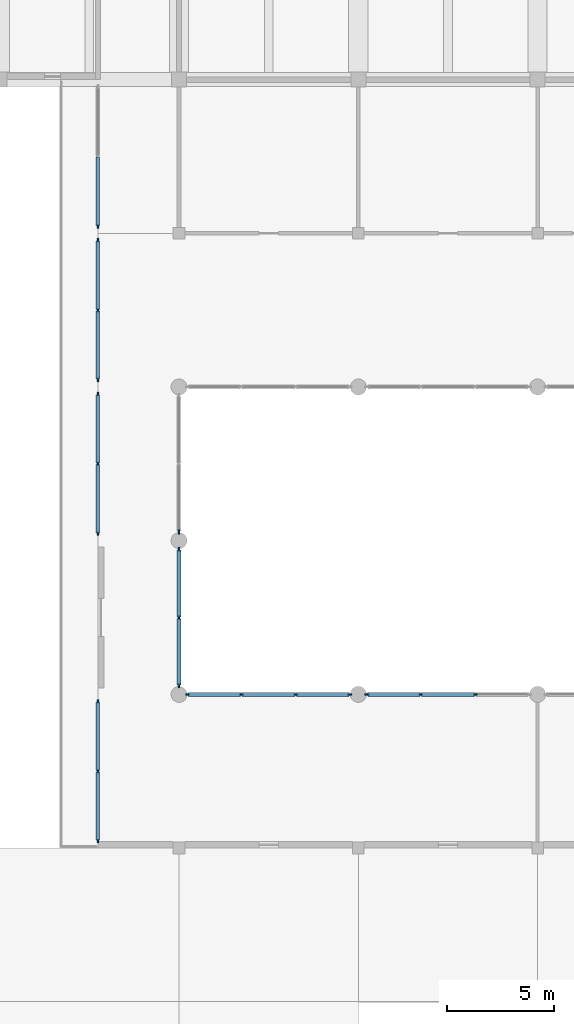
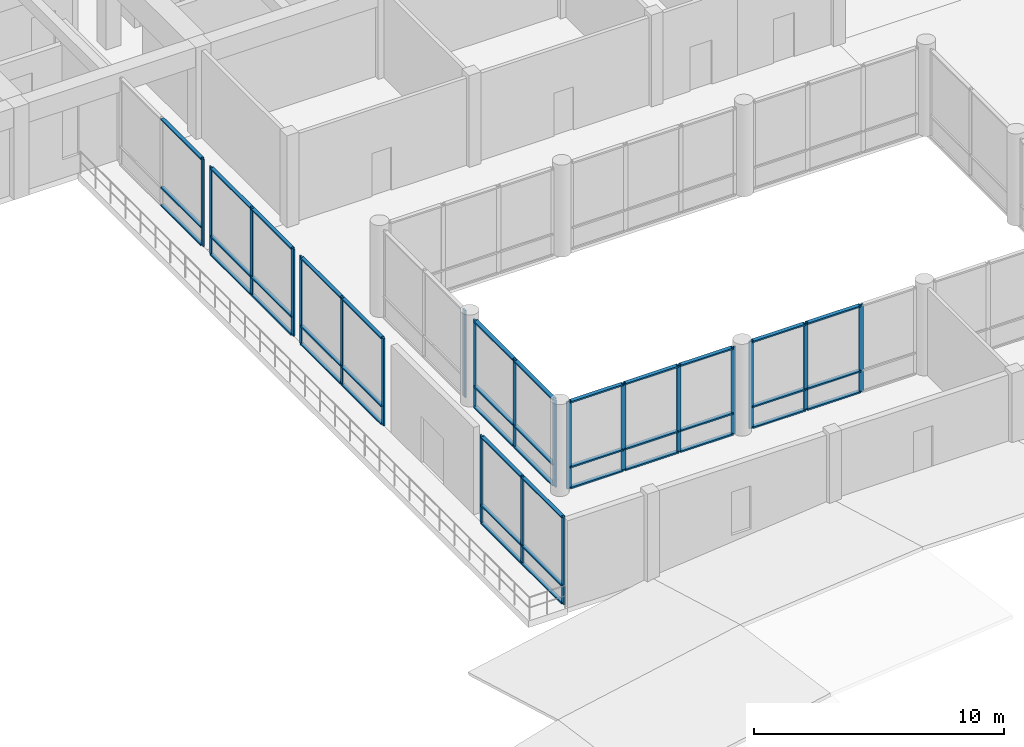
# One storey, part 2 of 17: 63 members, 8 elements without a shape of their own.
"""IFC4 building model written with IfcOpenShell, lengths in metres."""

from ifc_helpers import new_model, si_unit, direction, frame, origin, origin_2d, place, context, subcontext, project, spatial, rectangle, extrude, material, material_profile, profile_set, type_object, element, aggregate, save


model = new_model("IFC4")

# Units and contexts
model_context = context("Model", 3, precision=1e-05, world=origin(), true_north=direction((0.0, 1.0)))
body_context = subcontext(model_context, "Body", "Model", "MODEL_VIEW")
ifc_project = project(units=[si_unit("LENGTHUNIT", "METRE"), si_unit("AREAUNIT", "SQUARE_METRE"), si_unit("VOLUMEUNIT", "CUBIC_METRE"), si_unit("PLANEANGLEUNIT", "RADIAN"), si_unit("MASSUNIT", "GRAM", prefix="KILO")], contexts=[model_context])

# Site, building, storey
site_placement = place(None, origin())
site = spatial("IfcSite", under=ifc_project, at=site_placement, CompositionType="ELEMENT")
building_placement = place(site_placement, origin())
building = spatial("IfcBuilding", under=site, at=building_placement, Name="Kenerak Square Central Library", CompositionType="ELEMENT")
storey_placement = place(building_placement, frame((0.0, 0.0, 23.360107421875)))
storey = spatial("IfcBuildingStorey", under=building, at=storey_placement, Name="L05", CompositionType="ELEMENT", Elevation=23.360107421875)

# Curtain wall, members
ifc_material_1 = material(Name="Anodised aluminium and solar-control low-E glazing", Category="aluminium")
curtain_wall_type_1 = type_object("IfcCurtainWallType", Name="Curtain Wall CW-V4-66x42 6600x4255", PredefinedType="USERDEFINED", material=ifc_material_1)
curtain_wall_1_placement = place(storey_placement, origin())
curtain_wall_1 = element("IfcCurtainWall", 1, at=curtain_wall_1_placement, inside=storey, type_object=curtain_wall_type_1, Name="Curtain Wall CW-V4-66x42 L05 0151", ObjectType="CURTAIN WALL", PredefinedType="USERDEFINED")
ifc_material_2 = material(Name="Anodised aluminium 6063-T6", Category="aluminium")
ifc_material_profile_1 = material_profile(ifc_material_2, rectangle(XDim=0.06494140625, YDim=0.179931640625, at=origin_2d()), Name="AL MULLION 65x180")
ifc_profile_set_1 = profile_set([ifc_material_profile_1], Name="Anodised aluminium 6063-T6")
member_type_1 = type_object("IfcMemberType", Name="Curtain Mullion CM-01 65x180", PredefinedType="MULLION", material=ifc_profile_set_1)
member_1_placement = place(storey_placement, frame((71.39990234375, 53.132568359375, 0.0), z_axis=(0.0, 0.0, 1.0), x_axis=(-1.0, 0.0, 0.0)))
member_1 = element("IfcMember", 2, at=member_1_placement, type_object=member_type_1, Name="CW-V4-66x42 Mullion 1", PredefinedType="MULLION", context=body_context, shape_type="SweptSolid", body=[
    extrude(rectangle(XDim=0.06494140625, YDim=0.179931640625, at=origin_2d()), origin(), (0.0, 0.0, 1.0), 4.2548828125),
])
member_2_placement = place(storey_placement, frame((71.39990234375, 56.39990234375, 0.0), z_axis=(0.0, 0.0, 1.0), x_axis=(-1.0, 0.0, 0.0)))
member_2 = element("IfcMember", 3, at=member_2_placement, type_object=member_type_1, Name="CW-V4-66x42 Mullion 2", PredefinedType="MULLION", context=body_context, shape_type="SweptSolid", body=[
    extrude(rectangle(XDim=0.06494140625, YDim=0.179931640625, at=origin_2d()), origin(), (0.0, 0.0, 1.0), 4.2548828125),
])
member_3_placement = place(storey_placement, frame((71.39990234375, 59.66748046875, 0.0), z_axis=(0.0, 0.0, 1.0), x_axis=(-1.0, 0.0, 0.0)))
member_3 = element("IfcMember", 4, at=member_3_placement, type_object=member_type_1, Name="CW-V4-66x42 Mullion 3", PredefinedType="MULLION", context=body_context, shape_type="SweptSolid", body=[
    extrude(rectangle(XDim=0.06494140625, YDim=0.179931640625, at=origin_2d()), origin(), (0.0, 0.0, 1.0), 4.2548828125),
])

curtain_wall_2_placement = place(storey_placement, origin())
curtain_wall_2 = element("IfcCurtainWall", 5, at=curtain_wall_2_placement, inside=storey, type_object=curtain_wall_type_1, Name="Curtain Wall CW-V4-66x42 L05 0152", ObjectType="CURTAIN WALL", PredefinedType="USERDEFINED")
member_4_placement = place(storey_placement, frame((71.39990234375, 67.532470703125, 0.0), z_axis=(0.0, 0.0, 1.0), x_axis=(-1.0, 0.0, 0.0)))
member_4 = element("IfcMember", 6, at=member_4_placement, type_object=member_type_1, Name="CW-V4-66x42 Mullion 1", PredefinedType="MULLION", context=body_context, shape_type="SweptSolid", body=[
    extrude(rectangle(XDim=0.06494140625, YDim=0.179931640625, at=origin_2d()), origin(), (0.0, 0.0, 1.0), 4.2548828125),
])
member_5_placement = place(storey_placement, frame((71.39990234375, 70.800048828125, 0.0), z_axis=(0.0, 0.0, 1.0), x_axis=(-1.0, 0.0, 0.0)))
member_5 = element("IfcMember", 7, at=member_5_placement, type_object=member_type_1, Name="CW-V4-66x42 Mullion 2", PredefinedType="MULLION", context=body_context, shape_type="SweptSolid", body=[
    extrude(rectangle(XDim=0.06494140625, YDim=0.179931640625, at=origin_2d()), origin(), (0.0, 0.0, 1.0), 4.2548828125),
])
member_6_placement = place(storey_placement, frame((71.39990234375, 74.0673828125, 0.0), z_axis=(0.0, 0.0, 1.0), x_axis=(-1.0, 0.0, 0.0)))
member_6 = element("IfcMember", 8, at=member_6_placement, type_object=member_type_1, Name="CW-V4-66x42 Mullion 3", PredefinedType="MULLION", context=body_context, shape_type="SweptSolid", body=[
    extrude(rectangle(XDim=0.06494140625, YDim=0.179931640625, at=origin_2d()), origin(), (0.0, 0.0, 1.0), 4.2548828125),
])

curtain_wall_3_placement = place(storey_placement, origin())
curtain_wall_3 = element("IfcCurtainWall", 9, at=curtain_wall_3_placement, inside=storey, type_object=curtain_wall_type_1, Name="Curtain Wall CW-V4-66x42 L05 0153", ObjectType="CURTAIN WALL", PredefinedType="USERDEFINED")
member_7_placement = place(storey_placement, frame((71.39990234375, 74.732421875, 0.0), z_axis=(0.0, 0.0, 1.0), x_axis=(-1.0, 0.0, 0.0)))
member_7 = element("IfcMember", 10, at=member_7_placement, type_object=member_type_1, Name="CW-V4-66x42 Mullion 1", PredefinedType="MULLION", context=body_context, shape_type="SweptSolid", body=[
    extrude(rectangle(XDim=0.06494140625, YDim=0.179931640625, at=origin_2d()), origin(), (0.0, 0.0, 1.0), 4.2548828125),
])
member_8_placement = place(storey_placement, frame((71.39990234375, 78.0, 0.0), z_axis=(0.0, 0.0, 1.0), x_axis=(-1.0, 0.0, 0.0)))
member_8 = element("IfcMember", 11, at=member_8_placement, type_object=member_type_1, Name="CW-V4-66x42 Mullion 2", PredefinedType="MULLION", context=body_context, shape_type="SweptSolid", body=[
    extrude(rectangle(XDim=0.06494140625, YDim=0.179931640625, at=origin_2d()), origin(), (0.0, 0.0, 1.0), 4.2548828125),
])
member_9_placement = place(storey_placement, frame((71.39990234375, 81.267578125, 0.0), z_axis=(0.0, 0.0, 1.0), x_axis=(-1.0, 0.0, 0.0)))
member_9 = element("IfcMember", 12, at=member_9_placement, type_object=member_type_1, Name="CW-V4-66x42 Mullion 3", PredefinedType="MULLION", context=body_context, shape_type="SweptSolid", body=[
    extrude(rectangle(XDim=0.06494140625, YDim=0.179931640625, at=origin_2d()), origin(), (0.0, 0.0, 1.0), 4.2548828125),
])

# Curtain wall, member
curtain_wall_4_placement = place(storey_placement, origin())
curtain_wall_4 = element("IfcCurtainWall", 13, at=curtain_wall_4_placement, inside=storey, type_object=curtain_wall_type_1, Name="Curtain Wall CW-V4-66x42 L05 0154", ObjectType="CURTAIN WALL", PredefinedType="USERDEFINED")
member_10_placement = place(storey_placement, frame((71.39990234375, 81.9326171875, 0.0), z_axis=(0.0, 0.0, 1.0), x_axis=(-1.0, 0.0, 0.0)))
member_10 = element("IfcMember", 14, at=member_10_placement, type_object=member_type_1, Name="CW-V4-66x42 Mullion 1", PredefinedType="MULLION", context=body_context, shape_type="SweptSolid", body=[
    extrude(rectangle(XDim=0.06494140625, YDim=0.179931640625, at=origin_2d()), origin(), (0.0, 0.0, 1.0), 4.2548828125),
])

# Member
ifc_material_profile_2 = material_profile(ifc_material_2, rectangle(XDim=0.159912109375, YDim=0.06494140625, at=origin_2d()), Name="AL TRANSOM 160x65")
ifc_profile_set_2 = profile_set([ifc_material_profile_2], Name="Anodised aluminium 6063-T6")
member_type_2 = type_object("IfcMemberType", Name="Curtain Transom CT-11 160x65", PredefinedType="USERDEFINED", material=ifc_profile_set_2)
member_11_placement = place(storey_placement, frame((71.39990234375, 53.1650390625, 0.032470703125), z_axis=(0.0, 1.0, 0.0), x_axis=(-1.0, 0.0, 0.0)))
member_11 = element("IfcMember", 15, at=member_11_placement, type_object=member_type_2, Name="CW-V4-66x42 Transom 1.1", ObjectType="TRANSOM", PredefinedType="USERDEFINED", context=body_context, shape_type="SweptSolid", body=[
    extrude(rectangle(XDim=0.159912109375, YDim=0.06494140625, at=origin_2d()), origin(), (0.0, 0.0, 1.0), 3.202392578125),
])

member_12_placement = place(storey_placement, frame((71.39990234375, 53.1650390625, 0.89990234375), z_axis=(0.0, 1.0, 0.0), x_axis=(-1.0, 0.0, 0.0)))
member_12 = element("IfcMember", 16, at=member_12_placement, type_object=member_type_2, Name="CW-V4-66x42 Transom 1.2", ObjectType="TRANSOM", PredefinedType="USERDEFINED", context=body_context, shape_type="SweptSolid", body=[
    extrude(rectangle(XDim=0.159912109375, YDim=0.06494140625, at=origin_2d()), origin(), (0.0, 0.0, 1.0), 3.202392578125),
])

member_13_placement = place(storey_placement, frame((71.39990234375, 53.1650390625, 4.222412109375), z_axis=(0.0, 1.0, 0.0), x_axis=(-1.0, 0.0, 0.0)))
member_13 = element("IfcMember", 17, at=member_13_placement, type_object=member_type_2, Name="CW-V4-66x42 Transom 1.3", ObjectType="TRANSOM", PredefinedType="USERDEFINED", context=body_context, shape_type="SweptSolid", body=[
    extrude(rectangle(XDim=0.159912109375, YDim=0.06494140625, at=origin_2d()), origin(), (0.0, 0.0, 1.0), 3.202392578125),
])

member_14_placement = place(storey_placement, frame((71.39990234375, 56.4326171875, 0.032470703125), z_axis=(0.0, 1.0, 0.0), x_axis=(-1.0, 0.0, 0.0)))
member_14 = element("IfcMember", 18, at=member_14_placement, type_object=member_type_2, Name="CW-V4-66x42 Transom 2.1", ObjectType="TRANSOM", PredefinedType="USERDEFINED", context=body_context, shape_type="SweptSolid", body=[
    extrude(rectangle(XDim=0.159912109375, YDim=0.06494140625, at=origin_2d()), origin(), (0.0, 0.0, 1.0), 3.202392578125),
])

member_15_placement = place(storey_placement, frame((71.39990234375, 56.4326171875, 0.89990234375), z_axis=(0.0, 1.0, 0.0), x_axis=(-1.0, 0.0, 0.0)))
member_15 = element("IfcMember", 19, at=member_15_placement, type_object=member_type_2, Name="CW-V4-66x42 Transom 2.2", ObjectType="TRANSOM", PredefinedType="USERDEFINED", context=body_context, shape_type="SweptSolid", body=[
    extrude(rectangle(XDim=0.159912109375, YDim=0.06494140625, at=origin_2d()), origin(), (0.0, 0.0, 1.0), 3.202392578125),
])

member_16_placement = place(storey_placement, frame((71.39990234375, 56.4326171875, 4.222412109375), z_axis=(0.0, 1.0, 0.0), x_axis=(-1.0, 0.0, 0.0)))
member_16 = element("IfcMember", 20, at=member_16_placement, type_object=member_type_2, Name="CW-V4-66x42 Transom 2.3", ObjectType="TRANSOM", PredefinedType="USERDEFINED", context=body_context, shape_type="SweptSolid", body=[
    extrude(rectangle(XDim=0.159912109375, YDim=0.06494140625, at=origin_2d()), origin(), (0.0, 0.0, 1.0), 3.202392578125),
])

aggregate(curtain_wall_1, [member_1, member_2, member_3, member_11, member_12, member_13, member_14, member_15, member_16])

member_17_placement = place(storey_placement, frame((71.39990234375, 67.56494140625, 0.032470703125), z_axis=(0.0, 1.0, 0.0), x_axis=(-1.0, 0.0, 0.0)))
member_17 = element("IfcMember", 21, at=member_17_placement, type_object=member_type_2, Name="CW-V4-66x42 Transom 1.1", ObjectType="TRANSOM", PredefinedType="USERDEFINED", context=body_context, shape_type="SweptSolid", body=[
    extrude(rectangle(XDim=0.159912109375, YDim=0.06494140625, at=origin_2d()), origin(), (0.0, 0.0, 1.0), 3.20263671875),
])

member_18_placement = place(storey_placement, frame((71.39990234375, 67.56494140625, 0.89990234375), z_axis=(0.0, 1.0, 0.0), x_axis=(-1.0, 0.0, 0.0)))
member_18 = element("IfcMember", 22, at=member_18_placement, type_object=member_type_2, Name="CW-V4-66x42 Transom 1.2", ObjectType="TRANSOM", PredefinedType="USERDEFINED", context=body_context, shape_type="SweptSolid", body=[
    extrude(rectangle(XDim=0.159912109375, YDim=0.06494140625, at=origin_2d()), origin(), (0.0, 0.0, 1.0), 3.20263671875),
])

member_19_placement = place(storey_placement, frame((71.39990234375, 67.56494140625, 4.222412109375), z_axis=(0.0, 1.0, 0.0), x_axis=(-1.0, 0.0, 0.0)))
member_19 = element("IfcMember", 23, at=member_19_placement, type_object=member_type_2, Name="CW-V4-66x42 Transom 1.3", ObjectType="TRANSOM", PredefinedType="USERDEFINED", context=body_context, shape_type="SweptSolid", body=[
    extrude(rectangle(XDim=0.159912109375, YDim=0.06494140625, at=origin_2d()), origin(), (0.0, 0.0, 1.0), 3.20263671875),
])

member_20_placement = place(storey_placement, frame((71.39990234375, 70.83251953125, 0.032470703125), z_axis=(0.0, 1.0, 0.0), x_axis=(-1.0, 0.0, 0.0)))
member_20 = element("IfcMember", 24, at=member_20_placement, type_object=member_type_2, Name="CW-V4-66x42 Transom 2.1", ObjectType="TRANSOM", PredefinedType="USERDEFINED", context=body_context, shape_type="SweptSolid", body=[
    extrude(rectangle(XDim=0.159912109375, YDim=0.06494140625, at=origin_2d()), origin(), (0.0, 0.0, 1.0), 3.202392578125),
])

member_21_placement = place(storey_placement, frame((71.39990234375, 70.83251953125, 0.89990234375), z_axis=(0.0, 1.0, 0.0), x_axis=(-1.0, 0.0, 0.0)))
member_21 = element("IfcMember", 25, at=member_21_placement, type_object=member_type_2, Name="CW-V4-66x42 Transom 2.2", ObjectType="TRANSOM", PredefinedType="USERDEFINED", context=body_context, shape_type="SweptSolid", body=[
    extrude(rectangle(XDim=0.159912109375, YDim=0.06494140625, at=origin_2d()), origin(), (0.0, 0.0, 1.0), 3.202392578125),
])

member_22_placement = place(storey_placement, frame((71.39990234375, 70.83251953125, 4.222412109375), z_axis=(0.0, 1.0, 0.0), x_axis=(-1.0, 0.0, 0.0)))
member_22 = element("IfcMember", 26, at=member_22_placement, type_object=member_type_2, Name="CW-V4-66x42 Transom 2.3", ObjectType="TRANSOM", PredefinedType="USERDEFINED", context=body_context, shape_type="SweptSolid", body=[
    extrude(rectangle(XDim=0.159912109375, YDim=0.06494140625, at=origin_2d()), origin(), (0.0, 0.0, 1.0), 3.202392578125),
])

aggregate(curtain_wall_2, [member_4, member_5, member_6, member_17, member_18, member_19, member_20, member_21, member_22])

member_23_placement = place(storey_placement, frame((71.39990234375, 74.764892578125, 0.032470703125), z_axis=(0.0, 1.0, 0.0), x_axis=(-1.0, 0.0, 0.0)))
member_23 = element("IfcMember", 27, at=member_23_placement, type_object=member_type_2, Name="CW-V4-66x42 Transom 1.1", ObjectType="TRANSOM", PredefinedType="USERDEFINED", context=body_context, shape_type="SweptSolid", body=[
    extrude(rectangle(XDim=0.159912109375, YDim=0.06494140625, at=origin_2d()), origin(), (0.0, 0.0, 1.0), 3.20263671875),
])

member_24_placement = place(storey_placement, frame((71.39990234375, 74.764892578125, 0.89990234375), z_axis=(0.0, 1.0, 0.0), x_axis=(-1.0, 0.0, 0.0)))
member_24 = element("IfcMember", 28, at=member_24_placement, type_object=member_type_2, Name="CW-V4-66x42 Transom 1.2", ObjectType="TRANSOM", PredefinedType="USERDEFINED", context=body_context, shape_type="SweptSolid", body=[
    extrude(rectangle(XDim=0.159912109375, YDim=0.06494140625, at=origin_2d()), origin(), (0.0, 0.0, 1.0), 3.20263671875),
])

member_25_placement = place(storey_placement, frame((71.39990234375, 74.764892578125, 4.222412109375), z_axis=(0.0, 1.0, 0.0), x_axis=(-1.0, 0.0, 0.0)))
member_25 = element("IfcMember", 29, at=member_25_placement, type_object=member_type_2, Name="CW-V4-66x42 Transom 1.3", ObjectType="TRANSOM", PredefinedType="USERDEFINED", context=body_context, shape_type="SweptSolid", body=[
    extrude(rectangle(XDim=0.159912109375, YDim=0.06494140625, at=origin_2d()), origin(), (0.0, 0.0, 1.0), 3.20263671875),
])

member_26_placement = place(storey_placement, frame((71.39990234375, 78.032470703125, 0.032470703125), z_axis=(0.0, 1.0, 0.0), x_axis=(-1.0, 0.0, 0.0)))
member_26 = element("IfcMember", 30, at=member_26_placement, type_object=member_type_2, Name="CW-V4-66x42 Transom 2.1", ObjectType="TRANSOM", PredefinedType="USERDEFINED", context=body_context, shape_type="SweptSolid", body=[
    extrude(rectangle(XDim=0.159912109375, YDim=0.06494140625, at=origin_2d()), origin(), (0.0, 0.0, 1.0), 3.20263671875),
])

member_27_placement = place(storey_placement, frame((71.39990234375, 78.032470703125, 0.89990234375), z_axis=(0.0, 1.0, 0.0), x_axis=(-1.0, 0.0, 0.0)))
member_27 = element("IfcMember", 31, at=member_27_placement, type_object=member_type_2, Name="CW-V4-66x42 Transom 2.2", ObjectType="TRANSOM", PredefinedType="USERDEFINED", context=body_context, shape_type="SweptSolid", body=[
    extrude(rectangle(XDim=0.159912109375, YDim=0.06494140625, at=origin_2d()), origin(), (0.0, 0.0, 1.0), 3.20263671875),
])

member_28_placement = place(storey_placement, frame((71.39990234375, 78.032470703125, 4.222412109375), z_axis=(0.0, 1.0, 0.0), x_axis=(-1.0, 0.0, 0.0)))
member_28 = element("IfcMember", 32, at=member_28_placement, type_object=member_type_2, Name="CW-V4-66x42 Transom 2.3", ObjectType="TRANSOM", PredefinedType="USERDEFINED", context=body_context, shape_type="SweptSolid", body=[
    extrude(rectangle(XDim=0.159912109375, YDim=0.06494140625, at=origin_2d()), origin(), (0.0, 0.0, 1.0), 3.20263671875),
])

aggregate(curtain_wall_3, [member_7, member_8, member_9, member_23, member_24, member_25, member_26, member_27, member_28])

member_29_placement = place(storey_placement, frame((71.39990234375, 81.965087890625, 0.032470703125), z_axis=(0.0, 1.0, 0.0), x_axis=(-1.0, 0.0, 0.0)))
member_29 = element("IfcMember", 33, at=member_29_placement, type_object=member_type_2, Name="CW-V4-66x42 Transom 1.1", ObjectType="TRANSOM", PredefinedType="USERDEFINED", context=body_context, shape_type="SweptSolid", body=[
    extrude(rectangle(XDim=0.159912109375, YDim=0.06494140625, at=origin_2d()), origin(), (0.0, 0.0, 1.0), 3.202392578125),
])

member_30_placement = place(storey_placement, frame((71.39990234375, 81.965087890625, 0.89990234375), z_axis=(0.0, 1.0, 0.0), x_axis=(-1.0, 0.0, 0.0)))
member_30 = element("IfcMember", 34, at=member_30_placement, type_object=member_type_2, Name="CW-V4-66x42 Transom 1.2", ObjectType="TRANSOM", PredefinedType="USERDEFINED", context=body_context, shape_type="SweptSolid", body=[
    extrude(rectangle(XDim=0.159912109375, YDim=0.06494140625, at=origin_2d()), origin(), (0.0, 0.0, 1.0), 3.202392578125),
])

member_31_placement = place(storey_placement, frame((71.39990234375, 81.965087890625, 4.222412109375), z_axis=(0.0, 1.0, 0.0), x_axis=(-1.0, 0.0, 0.0)))
member_31 = element("IfcMember", 35, at=member_31_placement, type_object=member_type_2, Name="CW-V4-66x42 Transom 1.3", ObjectType="TRANSOM", PredefinedType="USERDEFINED", context=body_context, shape_type="SweptSolid", body=[
    extrude(rectangle(XDim=0.159912109375, YDim=0.06494140625, at=origin_2d()), origin(), (0.0, 0.0, 1.0), 3.202392578125),
])

aggregate(curtain_wall_4, [member_10, member_29, member_30, member_31])

# Curtain wall, members
ifc_material_3 = material(Name="Intumescent fire-resisting glazing EI 60", Category="glass")
curtain_wall_type_2 = type_object("IfcCurtainWallType", Name="Curtain Wall CW-AT60-76x42 7650x4255", PredefinedType="USERDEFINED", material=ifc_material_3)
curtain_wall_5_placement = place(storey_placement, origin())
curtain_wall_5 = element("IfcCurtainWall", 36, at=curtain_wall_5_placement, inside=storey, type_object=curtain_wall_type_2, Name="Atrium Fire-Rated Glazed Screen CW-AT60-76x42 L05 0187", ObjectType="CURTAIN WALL", PredefinedType="USERDEFINED")
ifc_material_profile_3 = material_profile(ifc_material_2, rectangle(XDim=0.070068359375, YDim=0.199951171875, at=origin_2d()), Name="AL MULLION 70x200")
ifc_profile_set_3 = profile_set([ifc_material_profile_3], Name="Anodised aluminium 6063-T6")
member_type_3 = type_object("IfcMemberType", Name="Fire-Rated Glazing Mullion CM-05 70x200", PredefinedType="MULLION", material=ifc_profile_set_3)
member_32_placement = place(storey_placement, frame((75.610107421875, 60.0, 0.0), z_axis=(0.0, 0.0, 1.0), x_axis=(0.0, 1.0, 0.0)))
member_32 = element("IfcMember", 37, at=member_32_placement, type_object=member_type_3, Name="CW-AT60-76x42 Mullion 1", PredefinedType="MULLION", context=body_context, shape_type="SweptSolid", body=[
    extrude(rectangle(XDim=0.070068359375, YDim=0.199951171875, at=origin_2d()), origin(), (0.0, 0.0, 1.0), 4.2548828125),
])
member_33_placement = place(storey_placement, frame((78.125, 60.0, 0.0), z_axis=(0.0, 0.0, 1.0), x_axis=(0.0, 1.0, 0.0)))
member_33 = element("IfcMember", 38, at=member_33_placement, type_object=member_type_3, Name="CW-AT60-76x42 Mullion 2", PredefinedType="MULLION", context=body_context, shape_type="SweptSolid", body=[
    extrude(rectangle(XDim=0.070068359375, YDim=0.199951171875, at=origin_2d()), origin(), (0.0, 0.0, 1.0), 4.2548828125),
])
member_34_placement = place(storey_placement, frame((80.675048828125, 60.0, 0.0), z_axis=(0.0, 0.0, 1.0), x_axis=(0.0, 1.0, 0.0)))
member_34 = element("IfcMember", 39, at=member_34_placement, type_object=member_type_3, Name="CW-AT60-76x42 Mullion 3", PredefinedType="MULLION", context=body_context, shape_type="SweptSolid", body=[
    extrude(rectangle(XDim=0.070068359375, YDim=0.199951171875, at=origin_2d()), origin(), (0.0, 0.0, 1.0), 4.2548828125),
])
member_35_placement = place(storey_placement, frame((83.18994140625, 60.0, 0.0), z_axis=(0.0, 0.0, 1.0), x_axis=(0.0, 1.0, 0.0)))
member_35 = element("IfcMember", 40, at=member_35_placement, type_object=member_type_3, Name="CW-AT60-76x42 Mullion 4", PredefinedType="MULLION", context=body_context, shape_type="SweptSolid", body=[
    extrude(rectangle(XDim=0.070068359375, YDim=0.199951171875, at=origin_2d()), origin(), (0.0, 0.0, 1.0), 4.2548828125),
])

curtain_wall_6_placement = place(storey_placement, origin())
curtain_wall_6 = element("IfcCurtainWall", 41, at=curtain_wall_6_placement, inside=storey, type_object=curtain_wall_type_2, Name="Atrium Fire-Rated Glazed Screen CW-AT60-76x42 L05 0188", ObjectType="CURTAIN WALL", PredefinedType="USERDEFINED")
member_36_placement = place(storey_placement, frame((84.010009765625, 60.0, 0.0), z_axis=(0.0, 0.0, 1.0), x_axis=(0.0, 1.0, 0.0)))
member_36 = element("IfcMember", 42, at=member_36_placement, type_object=member_type_3, Name="CW-AT60-76x42 Mullion 1", PredefinedType="MULLION", context=body_context, shape_type="SweptSolid", body=[
    extrude(rectangle(XDim=0.070068359375, YDim=0.199951171875, at=origin_2d()), origin(), (0.0, 0.0, 1.0), 4.2548828125),
])
member_37_placement = place(storey_placement, frame((86.52490234375, 60.0, 0.0), z_axis=(0.0, 0.0, 1.0), x_axis=(0.0, 1.0, 0.0)))
member_37 = element("IfcMember", 43, at=member_37_placement, type_object=member_type_3, Name="CW-AT60-76x42 Mullion 2", PredefinedType="MULLION", context=body_context, shape_type="SweptSolid", body=[
    extrude(rectangle(XDim=0.070068359375, YDim=0.199951171875, at=origin_2d()), origin(), (0.0, 0.0, 1.0), 4.2548828125),
])
member_38_placement = place(storey_placement, frame((89.074951171875, 60.0, 0.0), z_axis=(0.0, 0.0, 1.0), x_axis=(0.0, 1.0, 0.0)))
member_38 = element("IfcMember", 44, at=member_38_placement, type_object=member_type_3, Name="CW-AT60-76x42 Mullion 3", PredefinedType="MULLION", context=body_context, shape_type="SweptSolid", body=[
    extrude(rectangle(XDim=0.070068359375, YDim=0.199951171875, at=origin_2d()), origin(), (0.0, 0.0, 1.0), 4.2548828125),
])

# Curtain wall, member
curtain_wall_type_3 = type_object("IfcCurtainWallType", Name="Curtain Wall CW-AT60-64x42 6450x4255", PredefinedType="USERDEFINED", material=ifc_material_3)
curtain_wall_7_placement = place(storey_placement, origin())
curtain_wall_7 = element("IfcCurtainWall", 45, at=curtain_wall_7_placement, inside=storey, type_object=curtain_wall_type_3, Name="Atrium Fire-Rated Glazed Screen CW-AT60-64x42 L05 0195", ObjectType="CURTAIN WALL", PredefinedType="USERDEFINED")
member_39_placement = place(storey_placement, frame((75.199951171875, 67.610107421875, 0.0), z_axis=(0.0, 0.0, 1.0), x_axis=(1.0, 0.0, 0.0)))
member_39 = element("IfcMember", 46, at=member_39_placement, type_object=member_type_3, Name="CW-AT60-64x42 Mullion 3", PredefinedType="MULLION", context=body_context, shape_type="SweptSolid", body=[
    extrude(rectangle(XDim=0.070068359375, YDim=0.199951171875, at=origin_2d()), origin(), (0.0, 0.0, 1.0), 4.2548828125),
])
aggregate(curtain_wall_7, [member_39])

# Curtain wall, members
curtain_wall_8_placement = place(storey_placement, origin())
curtain_wall_8 = element("IfcCurtainWall", 47, at=curtain_wall_8_placement, inside=storey, type_object=curtain_wall_type_3, Name="Atrium Fire-Rated Glazed Screen CW-AT60-64x42 L05 0196", ObjectType="CURTAIN WALL", PredefinedType="USERDEFINED")
member_40_placement = place(storey_placement, frame((75.199951171875, 66.7900390625, 0.0), z_axis=(0.0, 0.0, 1.0), x_axis=(1.0, 0.0, 0.0)))
member_40 = element("IfcMember", 48, at=member_40_placement, type_object=member_type_3, Name="CW-AT60-64x42 Mullion 1", PredefinedType="MULLION", context=body_context, shape_type="SweptSolid", body=[
    extrude(rectangle(XDim=0.070068359375, YDim=0.199951171875, at=origin_2d()), origin(), (0.0, 0.0, 1.0), 4.2548828125),
])
member_41_placement = place(storey_placement, frame((75.199951171875, 63.60009765625, 0.0), z_axis=(0.0, 0.0, 1.0), x_axis=(1.0, 0.0, 0.0)))
member_41 = element("IfcMember", 49, at=member_41_placement, type_object=member_type_3, Name="CW-AT60-64x42 Mullion 2", PredefinedType="MULLION", context=body_context, shape_type="SweptSolid", body=[
    extrude(rectangle(XDim=0.070068359375, YDim=0.199951171875, at=origin_2d()), origin(), (0.0, 0.0, 1.0), 4.2548828125),
])
member_42_placement = place(storey_placement, frame((75.199951171875, 60.409912109375, 0.0), z_axis=(0.0, 0.0, 1.0), x_axis=(1.0, 0.0, 0.0)))
member_42 = element("IfcMember", 50, at=member_42_placement, type_object=member_type_3, Name="CW-AT60-64x42 Mullion 3", PredefinedType="MULLION", context=body_context, shape_type="SweptSolid", body=[
    extrude(rectangle(XDim=0.070068359375, YDim=0.199951171875, at=origin_2d()), origin(), (0.0, 0.0, 1.0), 4.2548828125),
])

# Member
ifc_material_profile_4 = material_profile(ifc_material_2, rectangle(XDim=0.179931640625, YDim=0.070068359375, at=origin_2d()), Name="AL TRANSOM 180x70")
ifc_profile_set_4 = profile_set([ifc_material_profile_4], Name="Anodised aluminium 6063-T6")
member_type_4 = type_object("IfcMemberType", Name="Fire-Rated Glazing Transom CT-15 180x70", PredefinedType="USERDEFINED", material=ifc_profile_set_4)
member_43_placement = place(storey_placement, frame((75.64501953125, 60.0, 0.034912109375), z_axis=(1.0, 0.0, 0.0), x_axis=(0.0, 1.0, 0.0)))
member_43 = element("IfcMember", 51, at=member_43_placement, type_object=member_type_4, Name="CW-AT60-76x42 Transom 1.1", ObjectType="TRANSOM", PredefinedType="USERDEFINED", context=body_context, shape_type="SweptSolid", body=[
    extrude(rectangle(XDim=0.179931640625, YDim=0.070068359375, at=origin_2d()), origin(), (0.0, 0.0, 1.0), 2.445068359375),
])

member_44_placement = place(storey_placement, frame((75.64501953125, 60.0, 1.0498046875), z_axis=(1.0, 0.0, 0.0), x_axis=(0.0, 1.0, 0.0)))
member_44 = element("IfcMember", 52, at=member_44_placement, type_object=member_type_4, Name="CW-AT60-76x42 Transom 1.2", ObjectType="TRANSOM", PredefinedType="USERDEFINED", context=body_context, shape_type="SweptSolid", body=[
    extrude(rectangle(XDim=0.179931640625, YDim=0.070068359375, at=origin_2d()), origin(), (0.0, 0.0, 1.0), 2.445068359375),
])

member_45_placement = place(storey_placement, frame((75.64501953125, 60.0, 4.219970703125), z_axis=(1.0, 0.0, 0.0), x_axis=(0.0, 1.0, 0.0)))
member_45 = element("IfcMember", 53, at=member_45_placement, type_object=member_type_4, Name="CW-AT60-76x42 Transom 1.3", ObjectType="TRANSOM", PredefinedType="USERDEFINED", context=body_context, shape_type="SweptSolid", body=[
    extrude(rectangle(XDim=0.179931640625, YDim=0.070068359375, at=origin_2d()), origin(), (0.0, 0.0, 1.0), 2.445068359375),
])

member_46_placement = place(storey_placement, frame((78.159912109375, 60.0, 0.034912109375), z_axis=(1.0, 0.0, 0.0), x_axis=(0.0, 1.0, 0.0)))
member_46 = element("IfcMember", 54, at=member_46_placement, type_object=member_type_4, Name="CW-AT60-76x42 Transom 2.1", ObjectType="TRANSOM", PredefinedType="USERDEFINED", context=body_context, shape_type="SweptSolid", body=[
    extrude(rectangle(XDim=0.179931640625, YDim=0.070068359375, at=origin_2d()), origin(), (0.0, 0.0, 1.0), 2.47998046875),
])

member_47_placement = place(storey_placement, frame((78.159912109375, 60.0, 1.0498046875), z_axis=(1.0, 0.0, 0.0), x_axis=(0.0, 1.0, 0.0)))
member_47 = element("IfcMember", 55, at=member_47_placement, type_object=member_type_4, Name="CW-AT60-76x42 Transom 2.2", ObjectType="TRANSOM", PredefinedType="USERDEFINED", context=body_context, shape_type="SweptSolid", body=[
    extrude(rectangle(XDim=0.179931640625, YDim=0.070068359375, at=origin_2d()), origin(), (0.0, 0.0, 1.0), 2.47998046875),
])

member_48_placement = place(storey_placement, frame((78.159912109375, 60.0, 4.219970703125), z_axis=(1.0, 0.0, 0.0), x_axis=(0.0, 1.0, 0.0)))
member_48 = element("IfcMember", 56, at=member_48_placement, type_object=member_type_4, Name="CW-AT60-76x42 Transom 2.3", ObjectType="TRANSOM", PredefinedType="USERDEFINED", context=body_context, shape_type="SweptSolid", body=[
    extrude(rectangle(XDim=0.179931640625, YDim=0.070068359375, at=origin_2d()), origin(), (0.0, 0.0, 1.0), 2.47998046875),
])

member_49_placement = place(storey_placement, frame((80.7099609375, 60.0, 0.034912109375), z_axis=(1.0, 0.0, 0.0), x_axis=(0.0, 1.0, 0.0)))
member_49 = element("IfcMember", 57, at=member_49_placement, type_object=member_type_4, Name="CW-AT60-76x42 Transom 3.1", ObjectType="TRANSOM", PredefinedType="USERDEFINED", context=body_context, shape_type="SweptSolid", body=[
    extrude(rectangle(XDim=0.179931640625, YDim=0.070068359375, at=origin_2d()), origin(), (0.0, 0.0, 1.0), 2.445068359375),
])

member_50_placement = place(storey_placement, frame((80.7099609375, 60.0, 1.0498046875), z_axis=(1.0, 0.0, 0.0), x_axis=(0.0, 1.0, 0.0)))
member_50 = element("IfcMember", 58, at=member_50_placement, type_object=member_type_4, Name="CW-AT60-76x42 Transom 3.2", ObjectType="TRANSOM", PredefinedType="USERDEFINED", context=body_context, shape_type="SweptSolid", body=[
    extrude(rectangle(XDim=0.179931640625, YDim=0.070068359375, at=origin_2d()), origin(), (0.0, 0.0, 1.0), 2.445068359375),
])

member_51_placement = place(storey_placement, frame((80.7099609375, 60.0, 4.219970703125), z_axis=(1.0, 0.0, 0.0), x_axis=(0.0, 1.0, 0.0)))
member_51 = element("IfcMember", 59, at=member_51_placement, type_object=member_type_4, Name="CW-AT60-76x42 Transom 3.3", ObjectType="TRANSOM", PredefinedType="USERDEFINED", context=body_context, shape_type="SweptSolid", body=[
    extrude(rectangle(XDim=0.179931640625, YDim=0.070068359375, at=origin_2d()), origin(), (0.0, 0.0, 1.0), 2.445068359375),
])

aggregate(curtain_wall_5, [member_32, member_33, member_34, member_35, member_43, member_44, member_45, member_46, member_47, member_48, member_49, member_50, member_51])

member_52_placement = place(storey_placement, frame((84.044921875, 60.0, 0.034912109375), z_axis=(1.0, 0.0, 0.0), x_axis=(0.0, 1.0, 0.0)))
member_52 = element("IfcMember", 60, at=member_52_placement, type_object=member_type_4, Name="CW-AT60-76x42 Transom 1.1", ObjectType="TRANSOM", PredefinedType="USERDEFINED", context=body_context, shape_type="SweptSolid", body=[
    extrude(rectangle(XDim=0.179931640625, YDim=0.070068359375, at=origin_2d()), origin(), (0.0, 0.0, 1.0), 2.445068359375),
])

member_53_placement = place(storey_placement, frame((84.044921875, 60.0, 1.0498046875), z_axis=(1.0, 0.0, 0.0), x_axis=(0.0, 1.0, 0.0)))
member_53 = element("IfcMember", 61, at=member_53_placement, type_object=member_type_4, Name="CW-AT60-76x42 Transom 1.2", ObjectType="TRANSOM", PredefinedType="USERDEFINED", context=body_context, shape_type="SweptSolid", body=[
    extrude(rectangle(XDim=0.179931640625, YDim=0.070068359375, at=origin_2d()), origin(), (0.0, 0.0, 1.0), 2.445068359375),
])

member_54_placement = place(storey_placement, frame((84.044921875, 60.0, 4.219970703125), z_axis=(1.0, 0.0, 0.0), x_axis=(0.0, 1.0, 0.0)))
member_54 = element("IfcMember", 62, at=member_54_placement, type_object=member_type_4, Name="CW-AT60-76x42 Transom 1.3", ObjectType="TRANSOM", PredefinedType="USERDEFINED", context=body_context, shape_type="SweptSolid", body=[
    extrude(rectangle(XDim=0.179931640625, YDim=0.070068359375, at=origin_2d()), origin(), (0.0, 0.0, 1.0), 2.445068359375),
])

member_55_placement = place(storey_placement, frame((86.56005859375, 60.0, 0.034912109375), z_axis=(1.0, 0.0, 0.0), x_axis=(0.0, 1.0, 0.0)))
member_55 = element("IfcMember", 63, at=member_55_placement, type_object=member_type_4, Name="CW-AT60-76x42 Transom 2.1", ObjectType="TRANSOM", PredefinedType="USERDEFINED", context=body_context, shape_type="SweptSolid", body=[
    extrude(rectangle(XDim=0.179931640625, YDim=0.070068359375, at=origin_2d()), origin(), (0.0, 0.0, 1.0), 2.47998046875),
])

member_56_placement = place(storey_placement, frame((86.56005859375, 60.0, 1.0498046875), z_axis=(1.0, 0.0, 0.0), x_axis=(0.0, 1.0, 0.0)))
member_56 = element("IfcMember", 64, at=member_56_placement, type_object=member_type_4, Name="CW-AT60-76x42 Transom 2.2", ObjectType="TRANSOM", PredefinedType="USERDEFINED", context=body_context, shape_type="SweptSolid", body=[
    extrude(rectangle(XDim=0.179931640625, YDim=0.070068359375, at=origin_2d()), origin(), (0.0, 0.0, 1.0), 2.47998046875),
])

member_57_placement = place(storey_placement, frame((86.56005859375, 60.0, 4.219970703125), z_axis=(1.0, 0.0, 0.0), x_axis=(0.0, 1.0, 0.0)))
member_57 = element("IfcMember", 65, at=member_57_placement, type_object=member_type_4, Name="CW-AT60-76x42 Transom 2.3", ObjectType="TRANSOM", PredefinedType="USERDEFINED", context=body_context, shape_type="SweptSolid", body=[
    extrude(rectangle(XDim=0.179931640625, YDim=0.070068359375, at=origin_2d()), origin(), (0.0, 0.0, 1.0), 2.47998046875),
])

aggregate(curtain_wall_6, [member_36, member_37, member_38, member_52, member_53, member_54, member_55, member_56, member_57])

member_58_placement = place(storey_placement, frame((75.199951171875, 66.7548828125, 0.034912109375), z_axis=(0.0, -1.0, 0.0), x_axis=(1.0, 0.0, 0.0)))
member_58 = element("IfcMember", 66, at=member_58_placement, type_object=member_type_4, Name="CW-AT60-64x42 Transom 1.1", ObjectType="TRANSOM", PredefinedType="USERDEFINED", context=body_context, shape_type="SweptSolid", body=[
    extrude(rectangle(XDim=0.179931640625, YDim=0.070068359375, at=origin_2d()), origin(), (0.0, 0.0, 1.0), 3.119873046875),
])

member_59_placement = place(storey_placement, frame((75.199951171875, 66.7548828125, 1.0498046875), z_axis=(0.0, -1.0, 0.0), x_axis=(1.0, 0.0, 0.0)))
member_59 = element("IfcMember", 67, at=member_59_placement, type_object=member_type_4, Name="CW-AT60-64x42 Transom 1.2", ObjectType="TRANSOM", PredefinedType="USERDEFINED", context=body_context, shape_type="SweptSolid", body=[
    extrude(rectangle(XDim=0.179931640625, YDim=0.070068359375, at=origin_2d()), origin(), (0.0, 0.0, 1.0), 3.119873046875),
])

member_60_placement = place(storey_placement, frame((75.199951171875, 66.7548828125, 4.219970703125), z_axis=(0.0, -1.0, 0.0), x_axis=(1.0, 0.0, 0.0)))
member_60 = element("IfcMember", 68, at=member_60_placement, type_object=member_type_4, Name="CW-AT60-64x42 Transom 1.3", ObjectType="TRANSOM", PredefinedType="USERDEFINED", context=body_context, shape_type="SweptSolid", body=[
    extrude(rectangle(XDim=0.179931640625, YDim=0.070068359375, at=origin_2d()), origin(), (0.0, 0.0, 1.0), 3.119873046875),
])

member_61_placement = place(storey_placement, frame((75.199951171875, 63.56494140625, 0.034912109375), z_axis=(0.0, -1.0, 0.0), x_axis=(1.0, 0.0, 0.0)))
member_61 = element("IfcMember", 69, at=member_61_placement, type_object=member_type_4, Name="CW-AT60-64x42 Transom 2.1", ObjectType="TRANSOM", PredefinedType="USERDEFINED", context=body_context, shape_type="SweptSolid", body=[
    extrude(rectangle(XDim=0.179931640625, YDim=0.070068359375, at=origin_2d()), origin(), (0.0, 0.0, 1.0), 3.119873046875),
])

member_62_placement = place(storey_placement, frame((75.199951171875, 63.56494140625, 1.0498046875), z_axis=(0.0, -1.0, 0.0), x_axis=(1.0, 0.0, 0.0)))
member_62 = element("IfcMember", 70, at=member_62_placement, type_object=member_type_4, Name="CW-AT60-64x42 Transom 2.2", ObjectType="TRANSOM", PredefinedType="USERDEFINED", context=body_context, shape_type="SweptSolid", body=[
    extrude(rectangle(XDim=0.179931640625, YDim=0.070068359375, at=origin_2d()), origin(), (0.0, 0.0, 1.0), 3.119873046875),
])

member_63_placement = place(storey_placement, frame((75.199951171875, 63.56494140625, 4.219970703125), z_axis=(0.0, -1.0, 0.0), x_axis=(1.0, 0.0, 0.0)))
member_63 = element("IfcMember", 71, at=member_63_placement, type_object=member_type_4, Name="CW-AT60-64x42 Transom 2.3", ObjectType="TRANSOM", PredefinedType="USERDEFINED", context=body_context, shape_type="SweptSolid", body=[
    extrude(rectangle(XDim=0.179931640625, YDim=0.070068359375, at=origin_2d()), origin(), (0.0, 0.0, 1.0), 3.119873046875),
])

aggregate(curtain_wall_8, [member_40, member_41, member_42, member_58, member_59, member_60, member_61, member_62, member_63])

save(model, "model.ifc")
